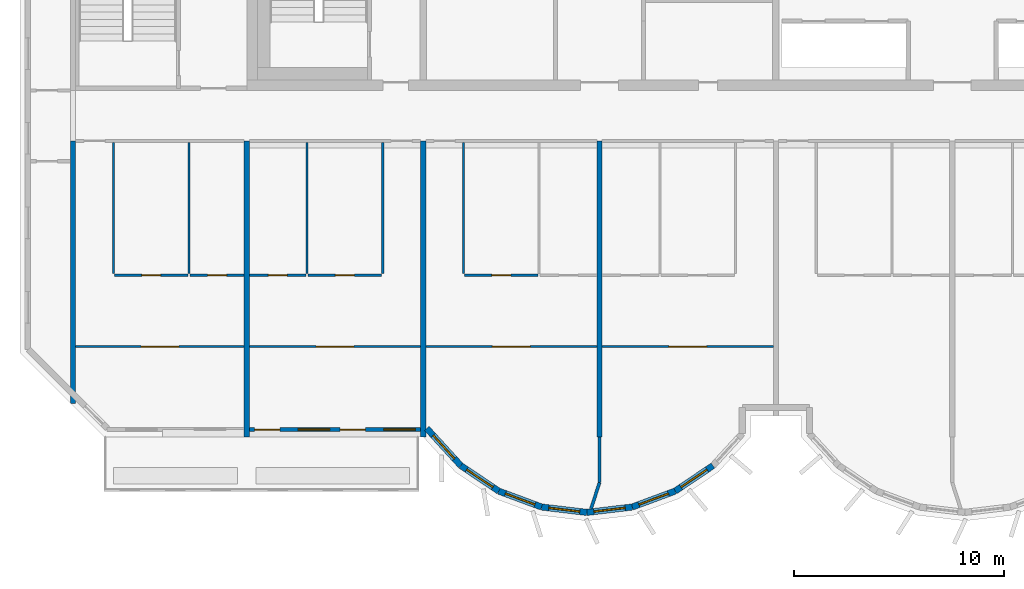
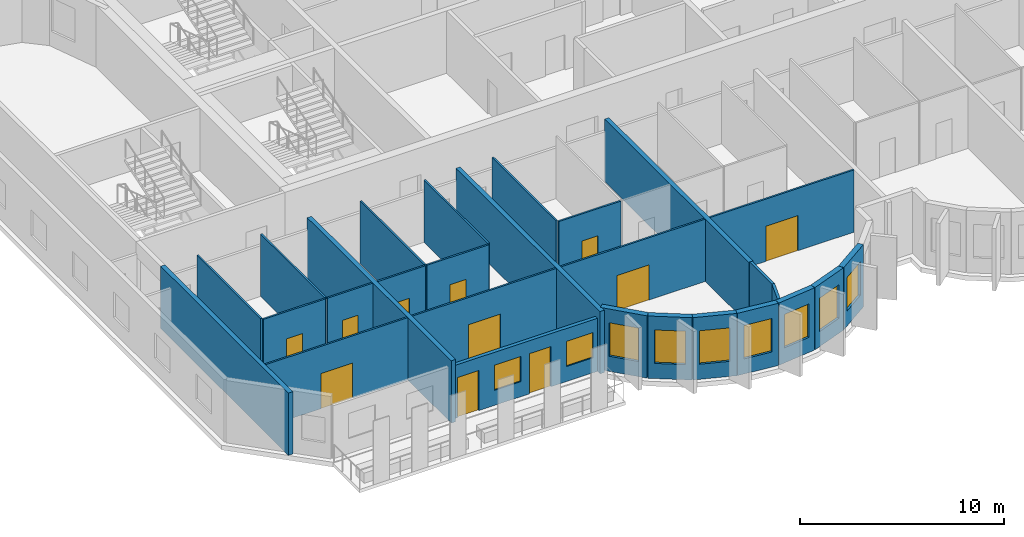
# One storey, part 2 of 12: 28 walls, 11 doors, 9 windows, 20 openings.
"""IFC4 building model written with IfcOpenShell, lengths in metres."""

from ifc_helpers import new_model, si_unit, direction, frame, frame_2d, origin, place, context, subcontext, project, spatial, rectangle, extrude, source, transform, mapped, material, layer, layer_set, type_object, element, fill, save


model = new_model("IFC4")

# Units and contexts
model_context = context("Model", 3, precision=1e-05, world=origin(), true_north=direction((0.0, 1.0)))
body_context = subcontext(model_context, "Body", "Model", "MODEL_VIEW")
ifc_project = project(units=[si_unit("LENGTHUNIT", "METRE"), si_unit("AREAUNIT", "SQUARE_METRE"), si_unit("VOLUMEUNIT", "CUBIC_METRE"), si_unit("PLANEANGLEUNIT", "RADIAN"), si_unit("MASSUNIT", "GRAM", prefix="KILO")], contexts=[model_context])

# Site, building, storey
site_placement = place(None, origin())
site = spatial("IfcSite", under=ifc_project, at=site_placement, CompositionType="ELEMENT")
building_placement = place(site_placement, origin())
building = spatial("IfcBuilding", under=site, at=building_placement, Name="Vanashikhar Sky Hotel", CompositionType="ELEMENT")
storey_placement = place(building_placement, frame((0.0, 0.0, 281.699951171875)))
storey = spatial("IfcBuildingStorey", under=building, at=storey_placement, Name="L67", CompositionType="ELEMENT", Elevation=281.699951171875)

# Walls
ifc_material_1 = material(Name="Concrete M50", Category="concrete")
ifc_layer_1 = layer(ifc_material_1, 0.25)
ifc_layer_set_1 = layer_set([ifc_layer_1], Name="RC shear wall 250 Concrete M50")
wall_type_1 = type_object("IfcWallType", Name="RC shear wall 250 Concrete M50", PredefinedType="SHEAR", material=ifc_layer_set_1)
shared_shape_1 = source(origin(), body_context, "Body", "SweptSolid", [
    extrude(rectangle(XDim=12.5, YDim=0.25, at=frame_2d((6.25, 0.0))), origin(), (0.0, 0.0, 1.0), 3.719970703125),
])
wall_1_placement = place(storey_placement, frame((16.925048828125, 7.10009765625, 0.0), z_axis=(0.0, 0.0, 1.0), x_axis=(0.0, 1.0, 0.0)))
element("IfcWall", 1, at=wall_1_placement, inside=storey, type_object=wall_type_1, Name="CW-L67-XW03-1", PredefinedType="SHEAR", context=body_context, shape_type="MappedRepresentation", body=[
    mapped(shared_shape_1, transform((0.0, 0.0, 0.0), scale=1.0)),
])
shared_shape_2 = source(origin(), body_context, "Body", "SweptSolid", [
    extrude(rectangle(XDim=14.10009765625, YDim=0.25, at=frame_2d((7.050048828125, 0.0))), origin(), (0.0, 0.0, 1.0), 3.719970703125),
])
for number, where, z_axis, x_axis, name in (
    (2, (25.199951171875, 5.5, 0.0), (0.0, 0.0, 1.0), (0.0, 1.0, 0.0), "CW-L67-XW04-1"),
    (3, (33.60009765625, 5.5, 0.0), (0.0, 0.0, 1.0), (0.0, 1.0, 0.0), "CW-L67-XW05-1"),
    (4, (42.0, 5.5, 0.0), (0.0, 0.0, 1.0), (0.0, 1.0, 0.0), "CW-L67-XW06-1"),
):
    element("IfcWall", number, at=place(storey_placement, frame(where, z_axis=z_axis, x_axis=x_axis)), inside=storey, type_object=wall_type_1, Name=name, PredefinedType="SHEAR", context=body_context, shape_type="MappedRepresentation", body=[
        mapped(shared_shape_2, transform((0.0, 0.0, 0.0), scale=1.0)),
    ])

# Wall, openings, windows, doors
ifc_layer_2 = layer(ifc_material_1, 0.199951171875)
ifc_layer_set_2 = layer_set([ifc_layer_2], Name="Front window wall 200")
wall_type_2 = type_object("IfcWallType", Name="Front window wall 200", PredefinedType="SOLIDWALL", material=ifc_layer_set_2)
shared_shape_3 = source(origin(), body_context, "Body", "SweptSolid", [
    extrude(rectangle(XDim=8.150146484375, YDim=0.199951171875, at=frame_2d((4.0751953125, 0.0))), origin(), (0.0, 0.0, 1.0), 3.170166015625),
])
wall_2_placement = place(storey_placement, frame((25.324951171875, 5.85009765625, 0.0), z_axis=(0.0, 0.0, 1.0), x_axis=(1.0, 0.0, 0.0)))
wall_2 = element("IfcWall", 5, at=wall_2_placement, inside=storey, type_object=wall_type_2, Name="Front window wall", PredefinedType="SOLIDWALL", context=body_context, shape_type="MappedRepresentation", body=[
    mapped(shared_shape_3, transform((0.0, 0.0, 0.0), scale=1.0)),
])
shared_shape_4 = source(origin(), body_context, "Body", "SweptSolid", [
    extrude(rectangle(XDim=1.199951171875, YDim=2.39990234375, at=frame_2d((0.60009765625, 1.199951171875))), frame((0.0, 0.10986328125, 0.0), z_axis=(0.0, -1.0, 0.0), x_axis=(1.0, 0.0, 0.0)), (0.0, 0.0, 1.0), 0.219970703125),
])
opening_1_placement = place(wall_2_placement, frame((0.25, 0.0, 0.0)))
opening_1 = element("IfcOpeningElement", 6, at=opening_1_placement, cuts=wall_2, Name="Opening BD-01", PredefinedType="OPENING", context=body_context, shape_type="MappedRepresentation", body=[
    mapped(shared_shape_4, transform((0.0, 0.0, 0.0), scale=1.0)),
])
shared_shape_5 = source(origin(), body_context, "Body", "SweptSolid", [
    extrude(rectangle(XDim=1.5, YDim=1.5, at=frame_2d((0.75, 0.75))), frame((0.0, 0.10986328125, 0.0), z_axis=(0.0, -1.0, 0.0), x_axis=(1.0, 0.0, 0.0)), (0.0, 0.0, 1.0), 0.219970703125),
])
opening_2_placement = place(wall_2_placement, frame((2.324951171875, 0.0, 0.89990234375)))
opening_2 = element("IfcOpeningElement", 7, at=opening_2_placement, cuts=wall_2, Name="Opening WN-1", PredefinedType="OPENING", context=body_context, shape_type="MappedRepresentation", body=[
    mapped(shared_shape_5, transform((0.0, 0.0, 0.0), scale=1.0)),
])
opening_3_placement = place(wall_2_placement, frame((4.324951171875, 0.0, 0.0)))
opening_3 = element("IfcOpeningElement", 8, at=opening_3_placement, cuts=wall_2, Name="Opening BD-02", PredefinedType="OPENING", context=body_context, shape_type="MappedRepresentation", body=[
    mapped(shared_shape_4, transform((0.0, 0.0, 0.0), scale=1.0)),
])
opening_4_placement = place(wall_2_placement, frame((6.39990234375, 0.0, 0.89990234375)))
opening_4 = element("IfcOpeningElement", 9, at=opening_4_placement, cuts=wall_2, Name="Opening WN-1", PredefinedType="OPENING", context=body_context, shape_type="MappedRepresentation", body=[
    mapped(shared_shape_5, transform((0.0, 0.0, 0.0), scale=1.0)),
])
ifc_material_2 = material(Name="Glass", Category="glass")
window_type_1 = type_object("IfcWindowType", Name="Window 1500 x 1500", PartitioningType="SINGLE_PANEL", PredefinedType="WINDOW", material=ifc_material_2)
shared_shape_6 = source(origin(), body_context, "Body", "SweptSolid", [
    extrude(rectangle(XDim=1.5, YDim=1.5, at=frame_2d((0.75, 0.75))), frame((0.0, 0.030029296875, 0.0), z_axis=(0.0, -1.0, 0.0), x_axis=(1.0, 0.0, 0.0)), (0.0, 0.0, 1.0), 0.06005859375),
])
window_1_placement = place(opening_2_placement, origin())
window_1 = element("IfcWindow", 10, at=window_1_placement, inside=storey, type_object=window_type_1, Name="Window WN-1", OverallHeight=1.5, OverallWidth=1.5, PartitioningType="SINGLE_PANEL", PredefinedType="WINDOW", context=body_context, shape_type="MappedRepresentation", body=[
    mapped(shared_shape_6, transform((0.0, 0.0, 0.0), scale=1.0)),
])
fill(opening_2, window_1)
window_2_placement = place(opening_4_placement, origin())
window_2 = element("IfcWindow", 11, at=window_2_placement, inside=storey, type_object=window_type_1, Name="Window WN-1", OverallHeight=1.5, OverallWidth=1.5, PartitioningType="SINGLE_PANEL", PredefinedType="WINDOW", context=body_context, shape_type="MappedRepresentation", body=[
    mapped(shared_shape_6, transform((0.0, 0.0, 0.0), scale=1.0)),
])
fill(opening_4, window_2)
ifc_material_3 = material(Name="Aluminium", Category="aluminium")
door_type_1 = type_object("IfcDoorType", Name="Balcony sliding door 1200 x 2400", OperationType="NOTDEFINED", PredefinedType="DOOR", material=ifc_material_3)
shared_shape_7 = source(origin(), body_context, "Body", "SweptSolid", [
    extrude(rectangle(XDim=1.199951171875, YDim=2.39990234375, at=frame_2d((0.60009765625, 1.199951171875))), frame((0.0, 0.02490234375, 0.0), z_axis=(0.0, -1.0, 0.0), x_axis=(1.0, 0.0, 0.0)), (0.0, 0.0, 1.0), 0.050048828125),
])
door_1_placement = place(opening_1_placement, origin())
door_1 = element("IfcDoor", 12, at=door_1_placement, inside=storey, type_object=door_type_1, Name="Balcony sliding door", OperationType="SLIDING_TO_LEFT", OverallHeight=2.39990234375, OverallWidth=1.199951171875, PredefinedType="DOOR", context=body_context, shape_type="MappedRepresentation", body=[
    mapped(shared_shape_7, transform((0.0, 0.0, 0.0), scale=1.0)),
])
fill(opening_1, door_1)
door_2_placement = place(opening_3_placement, origin())
door_2 = element("IfcDoor", 13, at=door_2_placement, inside=storey, type_object=door_type_1, Name="Balcony sliding door", OperationType="SLIDING_TO_RIGHT", OverallHeight=2.39990234375, OverallWidth=1.199951171875, PredefinedType="DOOR", context=body_context, shape_type="MappedRepresentation", body=[
    mapped(shared_shape_7, transform((0.0, 0.0, 0.0), scale=1.0)),
])
fill(opening_3, door_2)

# Wall, opening, window
ifc_layer_3 = layer(ifc_material_1, 0.300048828125)
ifc_layer_set_3 = layer_set([ifc_layer_3], Name="Lobe wall 300")
wall_type_3 = type_object("IfcWallType", Name="Lobe wall 300", PredefinedType="SOLIDWALL", material=ifc_layer_set_3)
shared_shape_8 = source(origin(), body_context, "Body", "SweptSolid", [
    extrude(rectangle(XDim=2.398193359375, YDim=0.300048828125, at=frame_2d((1.19921875, 0.0))), origin(), (0.0, 0.0, 1.0), 3.719970703125),
])
wall_3_placement = place(storey_placement, frame((33.776123046875, 5.89990234375, 0.0), z_axis=(0.0, 0.0, 1.0), x_axis=(0.675374189419, -0.737475222815, 0.0)))
wall_3 = element("IfcWall", 14, at=wall_3_placement, inside=storey, type_object=wall_type_3, Name="Lobe wall", PredefinedType="SOLIDWALL", context=body_context, shape_type="MappedRepresentation", body=[
    mapped(shared_shape_8, transform((0.0, 0.0, 0.0), scale=1.0)),
])
shared_shape_9 = source(origin(), body_context, "Body", "SweptSolid", [
    extrude(rectangle(XDim=1.5, YDim=2.0, at=frame_2d((0.75, 1.0))), frame((0.0, 0.16015625, 0.0), z_axis=(0.0, -1.0, 0.0), x_axis=(1.0, 0.0, 0.0)), (0.0, 0.0, 1.0), 0.320068359375),
])
opening_5_placement = place(wall_3_placement, frame((0.44921875, 0.0, 0.89990234375)))
opening_5 = element("IfcOpeningElement", 15, at=opening_5_placement, cuts=wall_3, Name="Opening WN-2", PredefinedType="OPENING", context=body_context, shape_type="MappedRepresentation", body=[
    mapped(shared_shape_9, transform((0.0, 0.0, 0.0), scale=1.0)),
])
window_type_2 = type_object("IfcWindowType", Name="Lobe window 1500 x 2000", PartitioningType="SINGLE_PANEL", PredefinedType="WINDOW", material=ifc_material_2)
shared_shape_10 = source(origin(), body_context, "Body", "SweptSolid", [
    extrude(rectangle(XDim=1.5, YDim=2.0, at=frame_2d((0.75, 1.0))), frame((0.0, 0.030029296875, 0.0), z_axis=(0.0, -1.0, 0.0), x_axis=(1.0, 0.0, 0.0)), (0.0, 0.0, 1.0), 0.06005859375),
])
window_3_placement = place(opening_5_placement, origin())
window_3 = element("IfcWindow", 16, at=window_3_placement, inside=storey, type_object=window_type_2, Name="Window WN-2", OverallHeight=2.0, OverallWidth=1.5, PartitioningType="SINGLE_PANEL", PredefinedType="WINDOW", context=body_context, shape_type="MappedRepresentation", body=[
    mapped(shared_shape_10, transform((0.0, 0.0, 0.0), scale=1.0)),
])
fill(opening_5, window_3)

shared_shape_11 = source(origin(), body_context, "Body", "SweptSolid", [
    extrude(rectangle(XDim=2.17578125, YDim=0.300048828125, at=frame_2d((1.087890625, 0.0))), origin(), (0.0, 0.0, 1.0), 3.719970703125),
])
wall_4_placement = place(storey_placement, frame((35.395751953125, 4.13134765625, 0.0), z_axis=(0.0, 0.0, 1.0), x_axis=(0.829590746428, -0.558371913192, 0.0)))
wall_4 = element("IfcWall", 17, at=wall_4_placement, inside=storey, type_object=wall_type_3, Name="Lobe wall", PredefinedType="SOLIDWALL", context=body_context, shape_type="MappedRepresentation", body=[
    mapped(shared_shape_11, transform((0.0, 0.0, 0.0), scale=1.0)),
])
opening_6_placement = place(wall_4_placement, frame((0.337890625, 0.0, 0.89990234375)))
opening_6 = element("IfcOpeningElement", 18, at=opening_6_placement, cuts=wall_4, Name="Opening WN-2", PredefinedType="OPENING", context=body_context, shape_type="MappedRepresentation", body=[
    mapped(shared_shape_9, transform((0.0, 0.0, 0.0), scale=1.0)),
])
window_4_placement = place(opening_6_placement, origin())
window_4 = element("IfcWindow", 19, at=window_4_placement, inside=storey, type_object=window_type_2, Name="Window WN-2", OverallHeight=2.0, OverallWidth=1.5, PartitioningType="SINGLE_PANEL", PredefinedType="WINDOW", context=body_context, shape_type="MappedRepresentation", body=[
    mapped(shared_shape_10, transform((0.0, 0.0, 0.0), scale=1.0)),
])
fill(opening_6, window_4)

wall_5_placement = place(storey_placement, frame((37.20068359375, 2.91650390625, 0.0), z_axis=(0.0, 0.0, 1.0), x_axis=(0.93754555999, -0.347862505801, 0.0)))
wall_5 = element("IfcWall", 20, at=wall_5_placement, inside=storey, type_object=wall_type_3, Name="Lobe wall", PredefinedType="SOLIDWALL", context=body_context, shape_type="MappedRepresentation", body=[
    mapped(shared_shape_11, transform((0.0, 0.0, 0.0), scale=1.0)),
])
opening_7_placement = place(wall_5_placement, frame((0.337890625, 0.0, 0.89990234375)))
opening_7 = element("IfcOpeningElement", 21, at=opening_7_placement, cuts=wall_5, Name="Opening WN-2", PredefinedType="OPENING", context=body_context, shape_type="MappedRepresentation", body=[
    mapped(shared_shape_9, transform((0.0, 0.0, 0.0), scale=1.0)),
])
window_5_placement = place(opening_7_placement, origin())
window_5 = element("IfcWindow", 22, at=window_5_placement, inside=storey, type_object=window_type_2, Name="Window WN-2", OverallHeight=2.0, OverallWidth=1.5, PartitioningType="SINGLE_PANEL", PredefinedType="WINDOW", context=body_context, shape_type="MappedRepresentation", body=[
    mapped(shared_shape_10, transform((0.0, 0.0, 0.0), scale=1.0)),
])
fill(opening_7, window_5)

wall_6_placement = place(storey_placement, frame((45.59912109375, 2.91650390625, 0.0), z_axis=(0.0, 0.0, 1.0), x_axis=(0.829625727223, 0.558319937607, 0.0)))
wall_6 = element("IfcWall", 23, at=wall_6_placement, inside=storey, type_object=wall_type_3, Name="Lobe wall", PredefinedType="SOLIDWALL", context=body_context, shape_type="MappedRepresentation", body=[
    mapped(shared_shape_11, transform((0.0, 0.0, 0.0), scale=1.0)),
])
opening_8_placement = place(wall_6_placement, frame((0.337890625, 0.0, 0.89990234375)))
opening_8 = element("IfcOpeningElement", 24, at=opening_8_placement, cuts=wall_6, Name="Opening WN-2", PredefinedType="OPENING", context=body_context, shape_type="MappedRepresentation", body=[
    mapped(shared_shape_9, transform((0.0, 0.0, 0.0), scale=1.0)),
])
window_6_placement = place(opening_8_placement, origin())
window_6 = element("IfcWindow", 25, at=window_6_placement, inside=storey, type_object=window_type_2, Name="Window WN-2", OverallHeight=2.0, OverallWidth=1.5, PartitioningType="SINGLE_PANEL", PredefinedType="WINDOW", context=body_context, shape_type="MappedRepresentation", body=[
    mapped(shared_shape_10, transform((0.0, 0.0, 0.0), scale=1.0)),
])
fill(opening_8, window_6)

shared_shape_12 = source(origin(), body_context, "Body", "SweptSolid", [
    extrude(rectangle(XDim=2.174560546875, YDim=0.300048828125, at=frame_2d((1.08740234375, 0.0))), origin(), (0.0, 0.0, 1.0), 3.719970703125),
])
wall_7_placement = place(storey_placement, frame((39.240478515625, 2.15966796875, 0.0), z_axis=(0.0, 0.0, 1.0), x_axis=(0.993001132889, -0.118104826659, 0.0)))
wall_7 = element("IfcWall", 26, at=wall_7_placement, inside=storey, type_object=wall_type_3, Name="Lobe wall", PredefinedType="SOLIDWALL", context=body_context, shape_type="MappedRepresentation", body=[
    mapped(shared_shape_12, transform((0.0, 0.0, 0.0), scale=1.0)),
])
opening_9_placement = place(wall_7_placement, frame((0.33740234375, 0.0, 0.89990234375)))
opening_9 = element("IfcOpeningElement", 27, at=opening_9_placement, cuts=wall_7, Name="Opening WN-2", PredefinedType="OPENING", context=body_context, shape_type="MappedRepresentation", body=[
    mapped(shared_shape_9, transform((0.0, 0.0, 0.0), scale=1.0)),
])
window_7_placement = place(opening_9_placement, origin())
window_7 = element("IfcWindow", 28, at=window_7_placement, inside=storey, type_object=window_type_2, Name="Window WN-2", OverallHeight=2.0, OverallWidth=1.5, PartitioningType="SINGLE_PANEL", PredefinedType="WINDOW", context=body_context, shape_type="MappedRepresentation", body=[
    mapped(shared_shape_10, transform((0.0, 0.0, 0.0), scale=1.0)),
])
fill(opening_9, window_7)

shared_shape_13 = source(origin(), body_context, "Body", "SweptSolid", [
    extrude(rectangle(XDim=2.1748046875, YDim=0.300048828125, at=frame_2d((1.08740234375, 0.0))), origin(), (0.0, 0.0, 1.0), 3.719970703125),
])
wall_8_placement = place(storey_placement, frame((41.39990234375, 1.90283203125, 0.0), z_axis=(0.0, 0.0, 1.0), x_axis=(0.993002698611, 0.118091661648, 0.0)))
wall_8 = element("IfcWall", 29, at=wall_8_placement, inside=storey, type_object=wall_type_3, Name="Lobe wall", PredefinedType="SOLIDWALL", context=body_context, shape_type="MappedRepresentation", body=[
    mapped(shared_shape_13, transform((0.0, 0.0, 0.0), scale=1.0)),
])
opening_10_placement = place(wall_8_placement, frame((0.33740234375, 0.0, 0.89990234375)))
opening_10 = element("IfcOpeningElement", 30, at=opening_10_placement, cuts=wall_8, Name="Opening WN-2", PredefinedType="OPENING", context=body_context, shape_type="MappedRepresentation", body=[
    mapped(shared_shape_9, transform((0.0, 0.0, 0.0), scale=1.0)),
])
window_8_placement = place(opening_10_placement, origin())
window_8 = element("IfcWindow", 31, at=window_8_placement, inside=storey, type_object=window_type_2, Name="Window WN-2", OverallHeight=2.0, OverallWidth=1.5, PartitioningType="SINGLE_PANEL", PredefinedType="WINDOW", context=body_context, shape_type="MappedRepresentation", body=[
    mapped(shared_shape_10, transform((0.0, 0.0, 0.0), scale=1.0)),
])
fill(opening_10, window_8)

shared_shape_14 = source(origin(), body_context, "Body", "SweptSolid", [
    extrude(rectangle(XDim=2.175537109375, YDim=0.300048828125, at=frame_2d((1.087890625, 0.0))), origin(), (0.0, 0.0, 1.0), 3.719970703125),
])
wall_9_placement = place(storey_placement, frame((43.5595703125, 2.15966796875, 0.0), z_axis=(0.0, 0.0, 1.0), x_axis=(0.937531979054, 0.347899106424, 0.0)))
wall_9 = element("IfcWall", 32, at=wall_9_placement, inside=storey, type_object=wall_type_3, Name="Lobe wall", PredefinedType="SOLIDWALL", context=body_context, shape_type="MappedRepresentation", body=[
    mapped(shared_shape_14, transform((0.0, 0.0, 0.0), scale=1.0)),
])
opening_11_placement = place(wall_9_placement, frame((0.337890625, 0.0, 0.89990234375)))
opening_11 = element("IfcOpeningElement", 33, at=opening_11_placement, cuts=wall_9, Name="Opening WN-2", PredefinedType="OPENING", context=body_context, shape_type="MappedRepresentation", body=[
    mapped(shared_shape_9, transform((0.0, 0.0, 0.0), scale=1.0)),
])
window_9_placement = place(opening_11_placement, origin())
window_9 = element("IfcWindow", 34, at=window_9_placement, inside=storey, type_object=window_type_2, Name="Window WN-2", OverallHeight=2.0, OverallWidth=1.5, PartitioningType="SINGLE_PANEL", PredefinedType="WINDOW", context=body_context, shape_type="MappedRepresentation", body=[
    mapped(shared_shape_10, transform((0.0, 0.0, 0.0), scale=1.0)),
])
fill(opening_11, window_9)

# Walls
ifc_material_4 = material(Name="Gypsum plasterboard partition")
ifc_layer_4 = layer(ifc_material_4, 0.10009765625)
ifc_layer_set_4 = layer_set([ifc_layer_4], Name="Wet room partition 100")
wall_type_4 = type_object("IfcWallType", Name="Wet room partition 100", PredefinedType="PARTITIONING", material=ifc_layer_set_4)
shared_shape_15 = source(origin(), body_context, "Body", "SweptSolid", [
    extrude(rectangle(XDim=6.25, YDim=0.10009765625, at=frame_2d((3.125, 0.0))), origin(), (0.0, 0.0, 1.0), 3.719970703125),
])
for number, where, z_axis, x_axis, name in (
    (35, (18.85009765625, 13.27490234375, 0.0), (0.0, 0.0, 1.0), (0.0, 1.0, 0.0), "W-L67-PW001"),
    (36, (22.449951171875, 13.27490234375, 0.0), (0.0, 0.0, 1.0), (0.0, 1.0, 0.0), "W-L67-PW002"),
    (37, (31.675048828125, 13.27490234375, 0.0), (0.0, 0.0, 1.0), (0.0, 1.0, 0.0), "W-L67-PW007"),
    (38, (28.074951171875, 13.27490234375, 0.0), (0.0, 0.0, 1.0), (0.0, 1.0, 0.0), "W-L67-PW008"),
    (39, (35.52490234375, 13.27490234375, 0.0), (0.0, 0.0, 1.0), (0.0, 1.0, 0.0), "W-L67-PW013"),
):
    element("IfcWall", number, at=place(storey_placement, frame(where, z_axis=z_axis, x_axis=x_axis)), inside=storey, type_object=wall_type_4, Name=name, PredefinedType="PARTITIONING", context=body_context, shape_type="MappedRepresentation", body=[
        mapped(shared_shape_15, transform((0.0, 0.0, 0.0), scale=1.0)),
    ])

# Wall, opening, door
shared_shape_16 = source(origin(), body_context, "Body", "SweptSolid", [
    extrude(rectangle(XDim=3.5, YDim=0.10009765625, at=frame_2d((1.75, 0.0))), origin(), (0.0, 0.0, 1.0), 3.719970703125),
])
wall_10_placement = place(storey_placement, frame((18.89990234375, 13.199951171875, 0.0), z_axis=(0.0, 0.0, 1.0), x_axis=(1.0, 0.0, 0.0)))
wall_10 = element("IfcWall", 40, at=wall_10_placement, inside=storey, type_object=wall_type_4, Name="W-L67-PW003", PredefinedType="PARTITIONING", context=body_context, shape_type="MappedRepresentation", body=[
    mapped(shared_shape_16, transform((0.0, 0.0, 0.0), scale=1.0)),
])
shared_shape_17 = source(origin(), body_context, "Body", "SweptSolid", [
    extrude(rectangle(XDim=0.89990234375, YDim=2.10009765625, at=frame_2d((0.449951171875, 1.050048828125))), frame((0.0, 0.06005859375, 0.0), z_axis=(0.0, -1.0, 0.0), x_axis=(1.0, 0.0, 0.0)), (0.0, 0.0, 1.0), 0.1201171875),
])
opening_12_placement = place(wall_10_placement, frame((1.300048828125, 0.0, 0.0)))
opening_12 = element("IfcOpeningElement", 41, at=opening_12_placement, cuts=wall_10, Name="Opening D-02", PredefinedType="OPENING", context=body_context, shape_type="MappedRepresentation", body=[
    mapped(shared_shape_17, transform((0.0, 0.0, 0.0), scale=1.0)),
])
ifc_material_5 = material(Name="Timber door", Category="wood")
door_type_2 = type_object("IfcDoorType", Name="Internal door 900", OperationType="NOTDEFINED", PredefinedType="DOOR", material=ifc_material_5)
shared_shape_18 = source(origin(), body_context, "Body", "SweptSolid", [
    extrude(rectangle(XDim=0.89990234375, YDim=2.10009765625, at=frame_2d((0.449951171875, 1.050048828125))), frame((0.0, 0.02490234375, 0.0), z_axis=(0.0, -1.0, 0.0), x_axis=(1.0, 0.0, 0.0)), (0.0, 0.0, 1.0), 0.050048828125),
])
door_3_placement = place(opening_12_placement, origin())
door_3 = element("IfcDoor", 42, at=door_3_placement, inside=storey, type_object=door_type_2, Name="D-L67-001", OperationType="SINGLE_SWING_LEFT", OverallHeight=2.10009765625, OverallWidth=0.89990234375, PredefinedType="DOOR", context=body_context, shape_type="MappedRepresentation", body=[
    mapped(shared_shape_18, transform((0.0, 0.0, 0.0), scale=1.0)),
])
fill(opening_12, door_3)

wall_11_placement = place(storey_placement, frame((28.125, 13.199951171875, 0.0), z_axis=(0.0, 0.0, 1.0), x_axis=(1.0, 0.0, 0.0)))
wall_11 = element("IfcWall", 43, at=wall_11_placement, inside=storey, type_object=wall_type_4, Name="W-L67-PW009", PredefinedType="PARTITIONING", context=body_context, shape_type="MappedRepresentation", body=[
    mapped(shared_shape_16, transform((0.0, 0.0, 0.0), scale=1.0)),
])
opening_13_placement = place(wall_11_placement, frame((1.300048828125, 0.0, 0.0)))
opening_13 = element("IfcOpeningElement", 44, at=opening_13_placement, cuts=wall_11, Name="Opening D-02", PredefinedType="OPENING", context=body_context, shape_type="MappedRepresentation", body=[
    mapped(shared_shape_17, transform((0.0, 0.0, 0.0), scale=1.0)),
])
door_4_placement = place(opening_13_placement, origin())
door_4 = element("IfcDoor", 45, at=door_4_placement, inside=storey, type_object=door_type_2, Name="D-L67-005", OperationType="SINGLE_SWING_RIGHT", OverallHeight=2.10009765625, OverallWidth=0.89990234375, PredefinedType="DOOR", context=body_context, shape_type="MappedRepresentation", body=[
    mapped(shared_shape_18, transform((0.0, 0.0, 0.0), scale=1.0)),
])
fill(opening_13, door_4)

wall_12_placement = place(storey_placement, frame((35.574951171875, 13.199951171875, 0.0), z_axis=(0.0, 0.0, 1.0), x_axis=(1.0, 0.0, 0.0)))
wall_12 = element("IfcWall", 46, at=wall_12_placement, inside=storey, type_object=wall_type_4, Name="W-L67-PW015", PredefinedType="PARTITIONING", context=body_context, shape_type="MappedRepresentation", body=[
    mapped(shared_shape_16, transform((0.0, 0.0, 0.0), scale=1.0)),
])
opening_14_placement = place(wall_12_placement, frame((1.300048828125, 0.0, 0.0)))
opening_14 = element("IfcOpeningElement", 47, at=opening_14_placement, cuts=wall_12, Name="Opening D-02", PredefinedType="OPENING", context=body_context, shape_type="MappedRepresentation", body=[
    mapped(shared_shape_17, transform((0.0, 0.0, 0.0), scale=1.0)),
])
door_5_placement = place(opening_14_placement, origin())
door_5 = element("IfcDoor", 48, at=door_5_placement, inside=storey, type_object=door_type_2, Name="D-L67-009", OperationType="SINGLE_SWING_LEFT", OverallHeight=2.10009765625, OverallWidth=0.89990234375, PredefinedType="DOOR", context=body_context, shape_type="MappedRepresentation", body=[
    mapped(shared_shape_18, transform((0.0, 0.0, 0.0), scale=1.0)),
])
fill(opening_14, door_5)

shared_shape_19 = source(origin(), body_context, "Body", "SweptSolid", [
    extrude(rectangle(XDim=2.574951171875, YDim=0.10009765625, at=frame_2d((1.28759765625, 0.0))), origin(), (0.0, 0.0, 1.0), 3.719970703125),
])
wall_13_placement = place(storey_placement, frame((22.5, 13.199951171875, 0.0), z_axis=(0.0, 0.0, 1.0), x_axis=(1.0, 0.0, 0.0)))
wall_13 = element("IfcWall", 49, at=wall_13_placement, inside=storey, type_object=wall_type_4, Name="W-L67-PW004", PredefinedType="PARTITIONING", context=body_context, shape_type="MappedRepresentation", body=[
    mapped(shared_shape_19, transform((0.0, 0.0, 0.0), scale=1.0)),
])
opening_15_placement = place(wall_13_placement, frame((0.837890625, 0.0, 0.0)))
opening_15 = element("IfcOpeningElement", 50, at=opening_15_placement, cuts=wall_13, Name="Opening D-02", PredefinedType="OPENING", context=body_context, shape_type="MappedRepresentation", body=[
    mapped(shared_shape_17, transform((0.0, 0.0, 0.0), scale=1.0)),
])
door_6_placement = place(opening_15_placement, origin())
door_6 = element("IfcDoor", 51, at=door_6_placement, inside=storey, type_object=door_type_2, Name="D-L67-002", OperationType="SINGLE_SWING_LEFT", OverallHeight=2.10009765625, OverallWidth=0.89990234375, PredefinedType="DOOR", context=body_context, shape_type="MappedRepresentation", body=[
    mapped(shared_shape_18, transform((0.0, 0.0, 0.0), scale=1.0)),
])
fill(opening_15, door_6)

shared_shape_20 = source(origin(), body_context, "Body", "SweptSolid", [
    extrude(rectangle(XDim=8.02490234375, YDim=0.10009765625, at=frame_2d((4.012451171875, 0.0))), origin(), (0.0, 0.0, 1.0), 3.719970703125),
])
wall_14_placement = place(storey_placement, frame((17.050048828125, 9.802001953125, 0.0), z_axis=(0.0, 0.0, 1.0), x_axis=(1.0, 0.0, 0.0)))
wall_14 = element("IfcWall", 52, at=wall_14_placement, inside=storey, type_object=wall_type_4, Name="W-L67-PW005", PredefinedType="PARTITIONING", context=body_context, shape_type="MappedRepresentation", body=[
    mapped(shared_shape_20, transform((0.0, 0.0, 0.0), scale=1.0)),
])
shared_shape_21 = source(origin(), body_context, "Body", "SweptSolid", [
    extrude(rectangle(XDim=1.800048828125, YDim=2.10009765625, at=frame_2d((0.89990234375, 1.050048828125))), frame((0.0, 0.06005859375, 0.0), z_axis=(0.0, -1.0, 0.0), x_axis=(1.0, 0.0, 0.0)), (0.0, 0.0, 1.0), 0.1201171875),
])
opening_16_placement = place(wall_14_placement, frame((3.113037109375, 0.0, 0.0)))
opening_16 = element("IfcOpeningElement", 53, at=opening_16_placement, cuts=wall_14, Name="Opening D-08", PredefinedType="OPENING", context=body_context, shape_type="MappedRepresentation", body=[
    mapped(shared_shape_21, transform((0.0, 0.0, 0.0), scale=1.0)),
])
door_type_3 = type_object("IfcDoorType", Name="Double leaf door 1800", OperationType="NOTDEFINED", PredefinedType="DOOR", material=ifc_material_5)
shared_shape_22 = source(origin(), body_context, "Body", "SweptSolid", [
    extrude(rectangle(XDim=1.800048828125, YDim=2.10009765625, at=frame_2d((0.89990234375, 1.050048828125))), frame((0.0, 0.02490234375, 0.0), z_axis=(0.0, -1.0, 0.0), x_axis=(1.0, 0.0, 0.0)), (0.0, 0.0, 1.0), 0.050048828125),
])
door_7_placement = place(opening_16_placement, origin())
door_7 = element("IfcDoor", 54, at=door_7_placement, inside=storey, type_object=door_type_3, Name="D-L67-003", OperationType="DOUBLE_DOOR_SINGLE_SWING", OverallHeight=2.10009765625, OverallWidth=1.800048828125, PredefinedType="DOOR", context=body_context, shape_type="MappedRepresentation", body=[
    mapped(shared_shape_22, transform((0.0, 0.0, 0.0), scale=1.0)),
])
fill(opening_16, door_7)

shared_shape_23 = source(origin(), body_context, "Body", "SweptSolid", [
    extrude(rectangle(XDim=2.699951171875, YDim=0.10009765625, at=frame_2d((1.35009765625, 0.0))), origin(), (0.0, 0.0, 1.0), 3.719970703125),
])
wall_15_placement = place(storey_placement, frame((25.324951171875, 13.199951171875, 0.0), z_axis=(0.0, 0.0, 1.0), x_axis=(1.0, 0.0, 0.0)))
wall_15 = element("IfcWall", 55, at=wall_15_placement, inside=storey, type_object=wall_type_4, Name="W-L67-PW010", PredefinedType="PARTITIONING", context=body_context, shape_type="MappedRepresentation", body=[
    mapped(shared_shape_23, transform((0.0, 0.0, 0.0), scale=1.0)),
])
opening_17_placement = place(wall_15_placement, frame((0.89990234375, 0.0, 0.0)))
opening_17 = element("IfcOpeningElement", 56, at=opening_17_placement, cuts=wall_15, Name="Opening D-02", PredefinedType="OPENING", context=body_context, shape_type="MappedRepresentation", body=[
    mapped(shared_shape_17, transform((0.0, 0.0, 0.0), scale=1.0)),
])
door_8_placement = place(opening_17_placement, origin())
door_8 = element("IfcDoor", 57, at=door_8_placement, inside=storey, type_object=door_type_2, Name="D-L67-006", OperationType="SINGLE_SWING_RIGHT", OverallHeight=2.10009765625, OverallWidth=0.89990234375, PredefinedType="DOOR", context=body_context, shape_type="MappedRepresentation", body=[
    mapped(shared_shape_18, transform((0.0, 0.0, 0.0), scale=1.0)),
])
fill(opening_17, door_8)

shared_shape_24 = source(origin(), body_context, "Body", "SweptSolid", [
    extrude(rectangle(XDim=8.150146484375, YDim=0.10009765625, at=frame_2d((4.0751953125, 0.0))), origin(), (0.0, 0.0, 1.0), 3.719970703125),
])
wall_16_placement = place(storey_placement, frame((25.324951171875, 9.802001953125, 0.0), z_axis=(0.0, 0.0, 1.0), x_axis=(1.0, 0.0, 0.0)))
wall_16 = element("IfcWall", 58, at=wall_16_placement, inside=storey, type_object=wall_type_4, Name="W-L67-PW011", PredefinedType="PARTITIONING", context=body_context, shape_type="MappedRepresentation", body=[
    mapped(shared_shape_24, transform((0.0, 0.0, 0.0), scale=1.0)),
])
opening_18_placement = place(wall_16_placement, frame((3.175048828125, 0.0, 0.0)))
opening_18 = element("IfcOpeningElement", 59, at=opening_18_placement, cuts=wall_16, Name="Opening D-08", PredefinedType="OPENING", context=body_context, shape_type="MappedRepresentation", body=[
    mapped(shared_shape_21, transform((0.0, 0.0, 0.0), scale=1.0)),
])
door_9_placement = place(opening_18_placement, origin())
door_9 = element("IfcDoor", 60, at=door_9_placement, inside=storey, type_object=door_type_3, Name="D-L67-007", OperationType="DOUBLE_DOOR_SINGLE_SWING", OverallHeight=2.10009765625, OverallWidth=1.800048828125, PredefinedType="DOOR", context=body_context, shape_type="MappedRepresentation", body=[
    mapped(shared_shape_22, transform((0.0, 0.0, 0.0), scale=1.0)),
])
fill(opening_18, door_9)

shared_shape_25 = source(origin(), body_context, "Body", "SweptSolid", [
    extrude(rectangle(XDim=8.14990234375, YDim=0.10009765625, at=frame_2d((4.074951171875, 0.0))), origin(), (0.0, 0.0, 1.0), 3.719970703125),
])
wall_17_placement = place(storey_placement, frame((33.72509765625, 9.802001953125, 0.0), z_axis=(0.0, 0.0, 1.0), x_axis=(1.0, 0.0, 0.0)))
wall_17 = element("IfcWall", 61, at=wall_17_placement, inside=storey, type_object=wall_type_4, Name="W-L67-PW017", PredefinedType="PARTITIONING", context=body_context, shape_type="MappedRepresentation", body=[
    mapped(shared_shape_25, transform((0.0, 0.0, 0.0), scale=1.0)),
])
opening_19_placement = place(wall_17_placement, frame((3.175048828125, 0.0, 0.0)))
opening_19 = element("IfcOpeningElement", 62, at=opening_19_placement, cuts=wall_17, Name="Opening D-08", PredefinedType="OPENING", context=body_context, shape_type="MappedRepresentation", body=[
    mapped(shared_shape_21, transform((0.0, 0.0, 0.0), scale=1.0)),
])
door_10_placement = place(opening_19_placement, origin())
door_10 = element("IfcDoor", 63, at=door_10_placement, inside=storey, type_object=door_type_3, Name="D-L67-011", OperationType="DOUBLE_DOOR_SINGLE_SWING", OverallHeight=2.10009765625, OverallWidth=1.800048828125, PredefinedType="DOOR", context=body_context, shape_type="MappedRepresentation", body=[
    mapped(shared_shape_22, transform((0.0, 0.0, 0.0), scale=1.0)),
])
fill(opening_19, door_10)

wall_18_placement = place(storey_placement, frame((42.125, 9.802001953125, 0.0), z_axis=(0.0, 0.0, 1.0), x_axis=(1.0, 0.0, 0.0)))
wall_18 = element("IfcWall", 64, at=wall_18_placement, inside=storey, type_object=wall_type_4, Name="W-L67-PW023", PredefinedType="PARTITIONING", context=body_context, shape_type="MappedRepresentation", body=[
    mapped(shared_shape_25, transform((0.0, 0.0, 0.0), scale=1.0)),
])
opening_20_placement = place(wall_18_placement, frame((3.175048828125, 0.0, 0.0)))
opening_20 = element("IfcOpeningElement", 65, at=opening_20_placement, cuts=wall_18, Name="Opening D-08", PredefinedType="OPENING", context=body_context, shape_type="MappedRepresentation", body=[
    mapped(shared_shape_21, transform((0.0, 0.0, 0.0), scale=1.0)),
])
door_11_placement = place(opening_20_placement, origin())
door_11 = element("IfcDoor", 66, at=door_11_placement, inside=storey, type_object=door_type_3, Name="D-L67-015", OperationType="DOUBLE_DOOR_SINGLE_SWING", OverallHeight=2.10009765625, OverallWidth=1.800048828125, PredefinedType="DOOR", context=body_context, shape_type="MappedRepresentation", body=[
    mapped(shared_shape_22, transform((0.0, 0.0, 0.0), scale=1.0)),
])
fill(opening_20, door_11)

# Walls
ifc_layer_5 = layer(ifc_material_4, 0.14990234375)
ifc_layer_set_5 = layer_set([ifc_layer_5], Name="Corridor and demising partition 150")
wall_type_5 = type_object("IfcWallType", Name="Corridor and demising partition 150", PredefinedType="PARTITIONING", material=ifc_layer_set_5)
shared_shape_26 = source(origin(), body_context, "Body", "SweptSolid", [
    extrude(rectangle(XDim=2.177978515625, YDim=0.14990234375, at=frame_2d((1.0888671875, 0.0))), origin(), (0.0, 0.0, 1.0), 3.719970703125),
])
wall_19_placement = place(storey_placement, frame((42.0, 3.322021484375, 0.0), z_axis=(0.0, 0.0, 1.0), x_axis=(0.0, 1.0, 0.0)))
element("IfcWall", 67, at=wall_19_placement, inside=storey, type_object=wall_type_5, Name="W-L67-PW046", PredefinedType="PARTITIONING", context=body_context, shape_type="MappedRepresentation", body=[
    mapped(shared_shape_26, transform((0.0, 0.0, 0.0), scale=1.0)),
])
shared_shape_27 = source(origin(), body_context, "Body", "SweptSolid", [
    extrude(rectangle(XDim=1.308349609375, YDim=0.14990234375, at=frame_2d((0.654296875, 0.0))), origin(), (0.0, 0.0, 1.0), 3.719970703125),
])
wall_20_placement = place(storey_placement, frame((41.597900390625, 2.076904296875, 0.0), z_axis=(0.0, 0.0, 1.0), x_axis=(0.307313512187, 0.951608325535, 0.0)))
element("IfcWall", 68, at=wall_20_placement, inside=storey, type_object=wall_type_5, Name="W-L67-PW046B0", PredefinedType="PARTITIONING", context=body_context, shape_type="MappedRepresentation", body=[
    mapped(shared_shape_27, transform((0.0, 0.0, 0.0), scale=1.0)),
])

save(model, "model.ifc")
